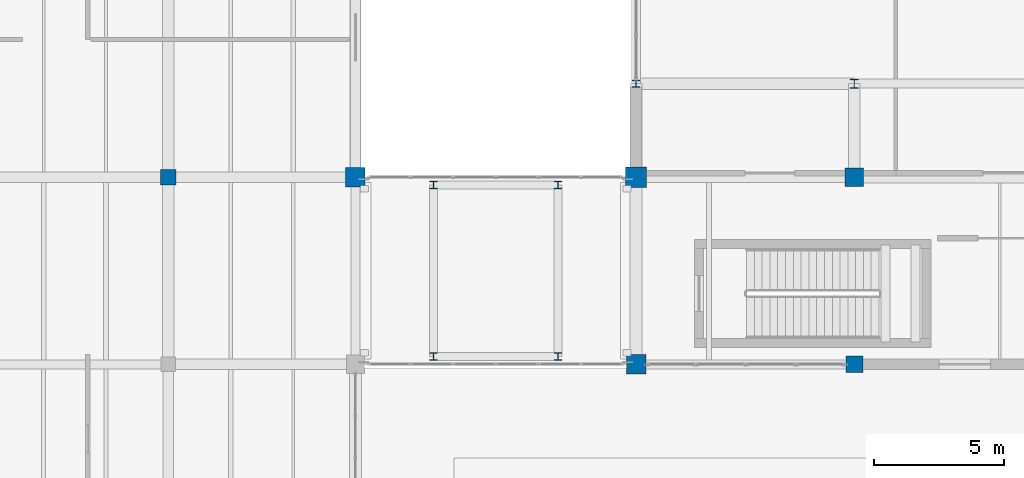
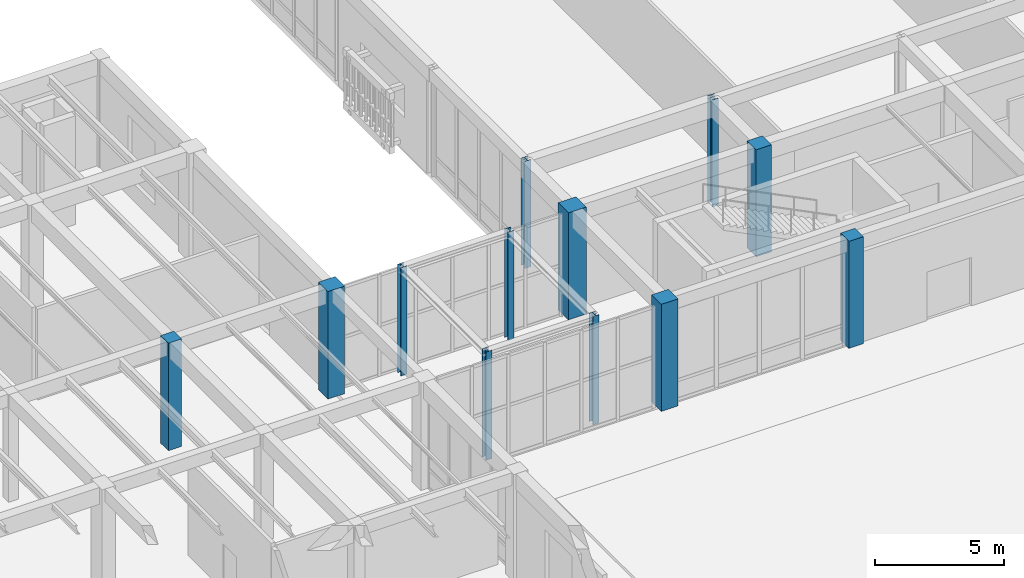
# One storey, part 8 of 169: 12 columns.
"""IFC4 building model written with IfcOpenShell, lengths in metres."""

from ifc_helpers import new_model, si_unit, direction, frame, origin, origin_2d, place, context, subcontext, project, spatial, rectangle, i_section, extrude, material, material_profile, profile_set, type_object, element, save


model = new_model("IFC4")

# Units and contexts
model_context = context("Model", 3, precision=1e-05, world=origin(), true_north=direction((0.0, 1.0)))
body_context = subcontext(model_context, "Body", "Model", "MODEL_VIEW")
ifc_project = project(units=[si_unit("LENGTHUNIT", "METRE"), si_unit("AREAUNIT", "SQUARE_METRE"), si_unit("VOLUMEUNIT", "CUBIC_METRE"), si_unit("PLANEANGLEUNIT", "RADIAN"), si_unit("MASSUNIT", "GRAM", prefix="KILO")], contexts=[model_context])

# Site, building, storey
site_placement = place(None, origin())
site = spatial("IfcSite", under=ifc_project, at=site_placement, CompositionType="ELEMENT")
building_placement = place(site_placement, origin())
building = spatial("IfcBuilding", under=site, at=building_placement, Name="Mazaris Harbour Polytechnic", CompositionType="ELEMENT")
storey_placement = place(building_placement, origin())
storey = spatial("IfcBuildingStorey", under=building, at=storey_placement, Name="L00", CompositionType="ELEMENT", Elevation=0.0)

# Columns
ifc_material_1 = material(Name="Concrete C40/50", Category="concrete")
ifc_material_profile_1 = material_profile(ifc_material_1, rectangle(XDim=0.60009765625, YDim=0.60009765625, at=origin_2d()), Name="RECT600x600")
ifc_profile_set_1 = profile_set([ifc_material_profile_1], Name="Concrete C40/50")
column_type_1 = type_object("IfcColumnType", Name="RC Column 600x600", PredefinedType="COLUMN", material=ifc_profile_set_1)
column_1_placement = place(storey_placement, frame((36.0, 82.800048828125, 0.0), z_axis=(0.0, 0.0, 1.0), x_axis=(1.0, 0.0, 0.0)))
element("IfcColumn", 1, at=column_1_placement, inside=storey, type_object=column_type_1, Name="V4 L00 Column 712", PredefinedType="COLUMN", context=body_context, shape_type="SweptSolid", body=[
    extrude(rectangle(XDim=0.60009765625, YDim=0.60009765625, at=origin_2d()), origin(), (0.0, 0.0, 1.0), 5.10009765625),
])
ifc_material_2 = material(Name="Concrete C40/50", Category="concrete")
ifc_material_profile_2 = material_profile(ifc_material_2, rectangle(XDim=0.64990234375, YDim=0.64990234375, at=origin_2d()), Name="RECT650x650")
ifc_profile_set_2 = profile_set([ifc_material_profile_2], Name="Concrete C40/50")
column_type_2 = type_object("IfcColumnType", Name="RC Column 650x650 Exterior", PredefinedType="COLUMN", material=ifc_profile_set_2)
column_2_placement = place(storey_placement, frame((62.39990234375, 75.60009765625, 0.0), z_axis=(0.0, 0.0, 1.0), x_axis=(1.0, 0.0, 0.0)))
element("IfcColumn", 2, at=column_2_placement, inside=storey, type_object=column_type_2, Name="V1 L00 Column 73", PredefinedType="COLUMN", context=body_context, shape_type="SweptSolid", body=[
    extrude(rectangle(XDim=0.64990234375, YDim=0.64990234375, at=origin_2d()), origin(), (0.0, 0.0, 1.0), 5.080078125),
])
ifc_material_3 = material(Name="Concrete C40/50", Category="concrete")
ifc_material_profile_3 = material_profile(ifc_material_3, rectangle(XDim=0.699951171875, YDim=0.699951171875, at=origin_2d()), Name="RECT700x700")
ifc_profile_set_3 = profile_set([ifc_material_profile_3], Name="Concrete C40/50")
column_type_3 = type_object("IfcColumnType", Name="RC Column 700x700", PredefinedType="COLUMN", material=ifc_profile_set_3)
column_3_placement = place(storey_placement, frame((62.39990234375, 82.800048828125, 0.0), z_axis=(0.0, 0.0, 1.0), x_axis=(1.0, 0.0, 0.0)))
element("IfcColumn", 3, at=column_3_placement, inside=storey, type_object=column_type_3, Name="V1 L00 Column 74", PredefinedType="COLUMN", context=body_context, shape_type="SweptSolid", body=[
    extrude(rectangle(XDim=0.699951171875, YDim=0.699951171875, at=origin_2d()), origin(), (0.0, 0.0, 1.0), 5.080078125),
])
ifc_material_4 = material(Name="Concrete C40/50", Category="concrete")
ifc_material_profile_4 = material_profile(ifc_material_4, rectangle(XDim=0.75, YDim=0.75, at=origin_2d()), Name="RECT750x750")
ifc_profile_set_4 = profile_set([ifc_material_profile_4], Name="Concrete C40/50")
column_type_4 = type_object("IfcColumnType", Name="RC Column 750x750 Exterior", PredefinedType="COLUMN", material=ifc_profile_set_4)
column_4_placement = place(storey_placement, frame((54.0, 75.60009765625, 0.0), z_axis=(0.0, 0.0, 1.0), x_axis=(1.0, 0.0, 0.0)))
element("IfcColumn", 4, at=column_4_placement, inside=storey, type_object=column_type_4, Name="V1 L00 Column 65", PredefinedType="COLUMN", context=body_context, shape_type="SweptSolid", body=[
    extrude(rectangle(XDim=0.75, YDim=0.75, at=origin_2d()), origin(), (0.0, 0.0, 1.0), 5.080078125),
])
column_5_placement = place(storey_placement, frame((43.199951171875, 82.800048828125, 0.0), z_axis=(0.0, 0.0, 1.0), x_axis=(1.0, 0.0, 0.0)))
element("IfcColumn", 5, at=column_5_placement, inside=storey, type_object=column_type_4, Name="V4 L00 Column 725", PredefinedType="COLUMN", context=body_context, shape_type="SweptSolid", body=[
    extrude(rectangle(XDim=0.75, YDim=0.75, at=origin_2d()), origin(), (0.0, 0.0, 1.0), 5.10009765625),
])
ifc_material_5 = material(Name="Concrete C40/50", Category="concrete")
ifc_material_profile_5 = material_profile(ifc_material_5, rectangle(XDim=0.800048828125, YDim=0.800048828125, at=origin_2d()), Name="RECT800x800")
ifc_profile_set_5 = profile_set([ifc_material_profile_5], Name="Concrete C40/50")
column_type_5 = type_object("IfcColumnType", Name="RC Column 800x800 Exterior", PredefinedType="COLUMN", material=ifc_profile_set_5)
column_6_placement = place(storey_placement, frame((54.0, 82.800048828125, 0.0), z_axis=(0.0, 0.0, 1.0), x_axis=(1.0, 0.0, 0.0)))
element("IfcColumn", 6, at=column_6_placement, inside=storey, type_object=column_type_5, Name="V1 L00 Column 66", PredefinedType="COLUMN", context=body_context, shape_type="SweptSolid", body=[
    extrude(rectangle(XDim=0.800048828125, YDim=0.800048828125, at=origin_2d()), origin(), (0.0, 0.0, 1.0), 5.080078125),
])
ifc_material_6 = material(Name="Steel S355", Category="steel")
ifc_material_profile_6 = material_profile(ifc_material_6, i_section(OverallWidth=0.280029296875, OverallDepth=0.280029296875, WebThickness=0.010498046875, FlangeThickness=0.01806640625, FilletRadius=0.02392578125, at=origin_2d()), Name="HEB 280")
ifc_profile_set_6 = profile_set([ifc_material_profile_6], Name="Steel S355")
column_type_6 = type_object("IfcColumnType", Name="Steel Column HEB280 Exterior", PredefinedType="COLUMN", material=ifc_profile_set_6)
column_7_placement = place(storey_placement, frame((54.0, 86.39990234375, 0.0), z_axis=(0.0, 0.0, 1.0), x_axis=(1.0, 0.0, 0.0)))
element("IfcColumn", 7, at=column_7_placement, inside=storey, type_object=column_type_6, Name="V1 L00 Column 67", PredefinedType="COLUMN", context=body_context, shape_type="SweptSolid", body=[
    extrude(i_section(OverallWidth=0.280029296875, OverallDepth=0.280029296875, WebThickness=0.010498046875, FlangeThickness=0.01806640625, FilletRadius=0.02392578125, at=origin_2d()), origin(), (0.0, 0.0, 1.0), 5.080078125),
])
for number, where, z_axis, x_axis, name in (
    (8, (46.199951171875, 75.89990234375, 0.0), (0.0, 0.0, 1.0), (1.0, 0.0, 0.0), "PB-W2 L00 Bridge Column 1532"),
    (9, (51.0, 75.89990234375, 0.0), (0.0, 0.0, 1.0), (1.0, 0.0, 0.0), "PB-W2 L00 Bridge Column 1533"),
    (10, (46.199951171875, 82.5, 0.0), (0.0, 0.0, 1.0), (1.0, 0.0, 0.0), "PB-W2 L00 Bridge Column 1534"),
    (11, (51.0, 82.5, 0.0), (0.0, 0.0, 1.0), (1.0, 0.0, 0.0), "PB-W2 L00 Bridge Column 1535"),
):
    element("IfcColumn", number, at=place(storey_placement, frame(where, z_axis=z_axis, x_axis=x_axis)), inside=storey, type_object=column_type_6, Name=name, PredefinedType="COLUMN", context=body_context, shape_type="SweptSolid", body=[
        extrude(i_section(OverallWidth=0.280029296875, OverallDepth=0.280029296875, WebThickness=0.010498046875, FlangeThickness=0.01806640625, FilletRadius=0.02392578125, at=origin_2d()), origin(), (0.0, 0.0, 1.0), 5.135009765625),
    ])
ifc_material_7 = material(Name="Steel S355", Category="steel")
ifc_material_profile_7 = material_profile(ifc_material_7, i_section(OverallWidth=0.300048828125, OverallDepth=0.360107421875, WebThickness=0.012451171875, FlangeThickness=0.0224609375, FilletRadius=0.027099609375, at=origin_2d()), Name="HEB 360")
ifc_profile_set_7 = profile_set([ifc_material_profile_7], Name="Steel S355")
column_type_7 = type_object("IfcColumnType", Name="Steel Column HEB360", PredefinedType="COLUMN", material=ifc_profile_set_7)
column_8_placement = place(storey_placement, frame((62.39990234375, 86.39990234375, 0.0), z_axis=(0.0, 0.0, 1.0), x_axis=(1.0, 0.0, 0.0)))
element("IfcColumn", 12, at=column_8_placement, inside=storey, type_object=column_type_7, Name="V1 L00 Column 75", PredefinedType="COLUMN", context=body_context, shape_type="SweptSolid", body=[
    extrude(i_section(OverallWidth=0.300048828125, OverallDepth=0.360107421875, WebThickness=0.012451171875, FlangeThickness=0.0224609375, FilletRadius=0.027099609375, at=origin_2d()), origin(), (0.0, 0.0, 1.0), 5.080078125),
])

save(model, "model.ifc")
